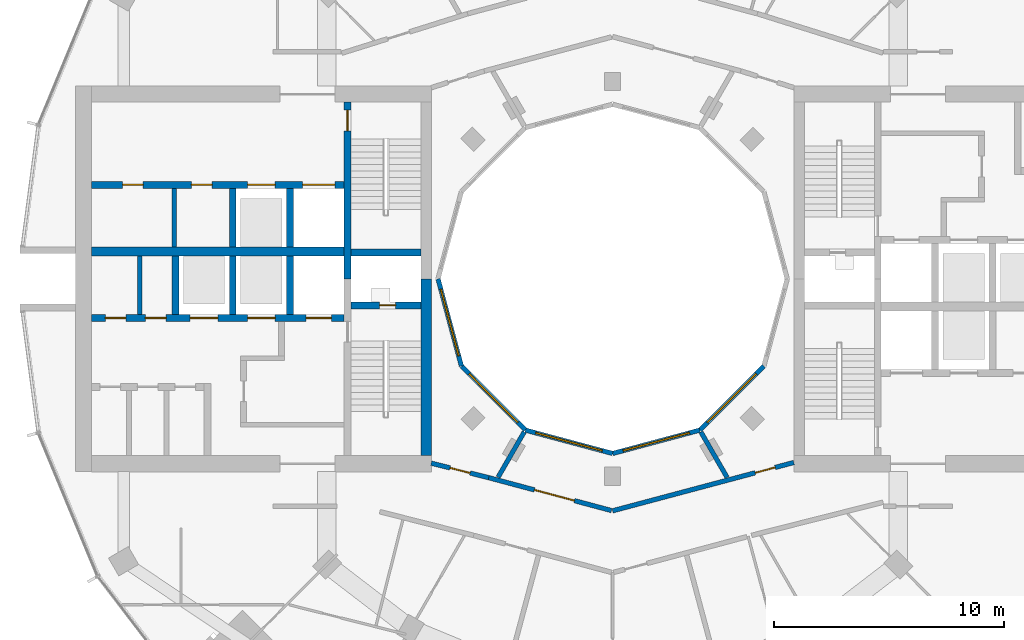
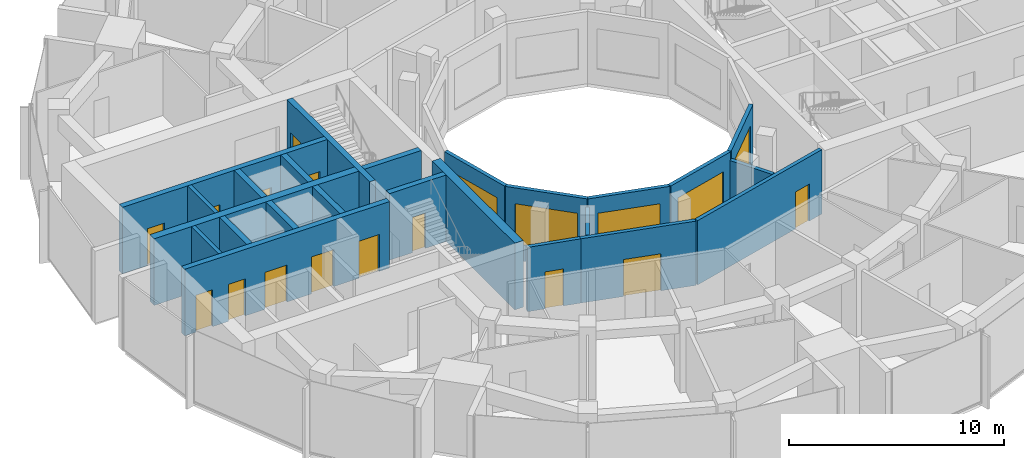
# One storey, part 9 of 15: 24 walls, 14 doors, 5 windows, 19 openings.
"""IFC4 building model written with IfcOpenShell, lengths in metres."""

from ifc_helpers import new_model, si_unit, direction, frame, frame_2d, origin, place, context, subcontext, project, spatial, rectangle, extrude, material, layer, layer_set, type_object, element, fill, save


model = new_model("IFC4")

# Units and contexts
model_context = context("Model", 3, precision=1e-05, world=origin(), true_north=direction((0.0, 1.0)))
body_context = subcontext(model_context, "Body", "Model", "MODEL_VIEW")
ifc_project = project(units=[si_unit("LENGTHUNIT", "METRE"), si_unit("AREAUNIT", "SQUARE_METRE"), si_unit("VOLUMEUNIT", "CUBIC_METRE"), si_unit("PLANEANGLEUNIT", "RADIAN"), si_unit("MASSUNIT", "GRAM", prefix="KILO")], contexts=[model_context])

# Site, building, storey
site_placement = place(None, origin())
site = spatial("IfcSite", under=ifc_project, at=site_placement, CompositionType="ELEMENT")
building_placement = place(site_placement, origin())
building = spatial("IfcBuilding", under=site, at=building_placement, Name="Torre Brocal", CompositionType="ELEMENT")
storey_placement = place(building_placement, frame((0.0, 0.0, 178.199951171875)))
storey = spatial("IfcBuildingStorey", under=building, at=storey_placement, Name="L41", CompositionType="ELEMENT", Elevation=178.199951171875)

# Walls
ifc_material_1 = material(Name="Masonry block", Category="masonry")
ifc_layer_1 = layer(ifc_material_1, 0.199951171875)
ifc_layer_set_1 = layer_set([ifc_layer_1], Name="Masonry block")
wall_type_1 = type_object("IfcWallType", Name="CORE PARTITION 200", PredefinedType="PARTITIONING", material=ifc_layer_set_1)
for number, where, z_axis, x_axis, name in (
    (1, (59.39990234375, 76.0, 0.0), (0.0, 0.0, 1.0), (0.0, -1.0, 0.0), "Wall CP200"),
    (2, (60.89990234375, 78.949951171875, 0.0), (0.0, 0.0, 1.0), (0.0, -1.0, 0.0), "Wall CP200"),
):
    element("IfcWall", number, at=place(storey_placement, frame(where, z_axis=z_axis, x_axis=x_axis)), inside=storey, type_object=wall_type_1, Name=name, PredefinedType="PARTITIONING", context=body_context, shape_type="SweptSolid", body=[
        extrude(rectangle(XDim=2.550048828125, YDim=0.199951171875, at=frame_2d((1.27490234375, 0.0))), origin(), (0.0, 0.0, 1.0), 3.780029296875),
    ])

# Wall, opening, door
ifc_material_2 = material(Name="Concrete C70", Category="concrete")
ifc_layer_2 = layer(ifc_material_2, 0.300048828125)
ifc_layer_set_2 = layer_set([ifc_layer_2], Name="Concrete C70")
wall_type_2 = type_object("IfcWallType", Name="CORE WALL 300 C70", PredefinedType="SHEAR", material=ifc_layer_set_2)
wall_1_placement = place(storey_placement, frame((68.449951171875, 82.699951171875, 0.0), z_axis=(0.0, 0.0, 1.0), x_axis=(0.0, -1.0, 0.0)))
wall_1 = element("IfcWall", 3, at=wall_1_placement, inside=storey, type_object=wall_type_2, Name="Wall CW300-70", PredefinedType="SHEAR", context=body_context, shape_type="SweptSolid", body=[
    extrude(rectangle(XDim=7.699951171875, YDim=0.300048828125, at=frame_2d((3.85009765625, 0.0))), origin(), (0.0, 0.0, 1.0), 3.780029296875),
])
opening_1_placement = place(wall_1_placement, frame((0.35009765625, 0.0, 0.0)))
opening_1 = element("IfcOpeningElement", 4, at=opening_1_placement, cuts=wall_1, Name="Opening W-D03", PredefinedType="OPENING", context=body_context, shape_type="SweptSolid", body=[
    extrude(rectangle(XDim=0.89990234375, YDim=2.10009765625, at=frame_2d((0.449951171875, 1.050048828125))), frame((0.0, 0.159912109375, 0.0), z_axis=(0.0, -1.0, 0.0), x_axis=(1.0, 0.0, 0.0)), (0.0, 0.0, 1.0), 0.320068359375),
])
ifc_material_3 = material(Name="Steel A653", Category="steel")
door_type_1 = type_object("IfcDoorType", Name="STAIR DOOR FD120 900X2100", OperationType="SINGLE_SWING_RIGHT", PredefinedType="DOOR", material=ifc_material_3)
door_1_placement = place(opening_1_placement, origin())
door_1 = element("IfcDoor", 5, at=door_1_placement, inside=storey, type_object=door_type_1, Name="Door W-D03", OperationType="SINGLE_SWING_LEFT", OverallHeight=2.10009765625, OverallWidth=0.89990234375, PredefinedType="DOOR", context=body_context, shape_type="SweptSolid", body=[
    extrude(rectangle(XDim=0.89990234375, YDim=2.10009765625, at=frame_2d((0.449951171875, 1.050048828125))), frame((0.0, 0.02490234375, 0.0), z_axis=(0.0, -1.0, 0.0), x_axis=(1.0, 0.0, 0.0)), (0.0, 0.0, 1.0), 0.050048828125),
])
fill(opening_1, door_1)

wall_2_placement = place(storey_placement, frame((71.64990234375, 73.85009765625, 0.0), z_axis=(0.0, 0.0, 1.0), x_axis=(-1.0, 0.0, 0.0)))
wall_2 = element("IfcWall", 6, at=wall_2_placement, inside=storey, type_object=wall_type_2, Name="Wall CW300-70", PredefinedType="SHEAR", context=body_context, shape_type="SweptSolid", body=[
    extrude(rectangle(XDim=3.0498046875, YDim=0.300048828125, at=frame_2d((1.52490234375, 0.0))), origin(), (0.0, 0.0, 1.0), 3.780029296875),
])
opening_2_placement = place(wall_2_placement, frame((1.10009765625, 0.0, 0.0)))
opening_2 = element("IfcOpeningElement", 7, at=opening_2_placement, cuts=wall_2, Name="Opening W-D01", PredefinedType="OPENING", context=body_context, shape_type="SweptSolid", body=[
    extrude(rectangle(XDim=0.699951171875, YDim=2.0, at=frame_2d((0.35009765625, 1.0))), frame((0.0, 0.159912109375, 0.0), z_axis=(0.0, -1.0, 0.0), x_axis=(1.0, 0.0, 0.0)), (0.0, 0.0, 1.0), 0.320068359375),
])
ifc_material_4 = material(Name="Steel A653", Category="steel")
door_type_2 = type_object("IfcDoorType", Name="RISER DOOR FD120 700X2000", OperationType="SINGLE_SWING_LEFT", PredefinedType="DOOR", material=ifc_material_4)
door_2_placement = place(opening_2_placement, frame((0.699951171875, 0.0, 0.0), z_axis=(0.0, 0.0, 1.0), x_axis=(-1.0, 0.0, 0.0)))
door_2 = element("IfcDoor", 8, at=door_2_placement, inside=storey, type_object=door_type_2, Name="Door W-D01", OperationType="SINGLE_SWING_RIGHT", OverallHeight=2.0, OverallWidth=0.699951171875, PredefinedType="DOOR", context=body_context, shape_type="SweptSolid", body=[
    extrude(rectangle(XDim=0.699951171875, YDim=2.0, at=frame_2d((0.35009765625, 1.0))), frame((0.0, 0.02490234375, 0.0), z_axis=(0.0, -1.0, 0.0), x_axis=(1.0, 0.0, 0.0)), (0.0, 0.0, 1.0), 0.050048828125),
])
fill(opening_2, door_2)

# Wall
wall_3_placement = place(storey_placement, frame((71.64990234375, 76.14990234375, 0.0), z_axis=(0.0, 0.0, 1.0), x_axis=(-1.0, 0.0, 0.0)))
element("IfcWall", 9, at=wall_3_placement, inside=storey, type_object=wall_type_2, Name="Wall CW300-70", PredefinedType="SHEAR", context=body_context, shape_type="SweptSolid", body=[
    extrude(rectangle(XDim=3.0498046875, YDim=0.300048828125, at=frame_2d((1.52490234375, 0.0))), origin(), (0.0, 0.0, 1.0), 3.780029296875),
])

# Wall, openings, doors
wall_4_placement = place(storey_placement, frame((68.300048828125, 73.300048828125, 0.0), z_axis=(0.0, 0.0, 1.0), x_axis=(-1.0, 0.0, 0.0)))
wall_4 = element("IfcWall", 10, at=wall_4_placement, inside=storey, type_object=wall_type_2, Name="Wall CW300-70", PredefinedType="SHEAR", context=body_context, shape_type="SweptSolid", body=[
    extrude(rectangle(XDim=11.0, YDim=0.300048828125, at=frame_2d((5.5, 0.0))), origin(), (0.0, 0.0, 1.0), 3.780029296875),
])
opening_3_placement = place(wall_4_placement, frame((0.550048828125, 0.0, 0.0)))
opening_3 = element("IfcOpeningElement", 11, at=opening_3_placement, cuts=wall_4, Name="Opening LD", PredefinedType="OPENING", context=body_context, shape_type="SweptSolid", body=[
    extrude(rectangle(XDim=1.10009765625, YDim=2.10009765625, at=frame_2d((0.550048828125, 1.050048828125))), frame((0.0, 0.159912109375, 0.0), z_axis=(0.0, -1.0, 0.0), x_axis=(1.0, 0.0, 0.0)), (0.0, 0.0, 1.0), 0.320068359375),
])
opening_4_placement = place(wall_4_placement, frame((3.0, 0.0, 0.0)))
opening_4 = element("IfcOpeningElement", 12, at=opening_4_placement, cuts=wall_4, Name="Opening LD12", PredefinedType="OPENING", context=body_context, shape_type="SweptSolid", body=[
    extrude(rectangle(XDim=1.199951171875, YDim=2.10009765625, at=frame_2d((0.60009765625, 1.050048828125))), frame((0.0, 0.159912109375, 0.0), z_axis=(0.0, -1.0, 0.0), x_axis=(1.0, 0.0, 0.0)), (0.0, 0.0, 1.0), 0.320068359375),
])
opening_5_placement = place(wall_4_placement, frame((5.5, 0.0, 0.0)))
opening_5 = element("IfcOpeningElement", 13, at=opening_5_placement, cuts=wall_4, Name="Opening LD12", PredefinedType="OPENING", context=body_context, shape_type="SweptSolid", body=[
    extrude(rectangle(XDim=1.199951171875, YDim=2.10009765625, at=frame_2d((0.60009765625, 1.050048828125))), frame((0.0, 0.159912109375, 0.0), z_axis=(0.0, -1.0, 0.0), x_axis=(1.0, 0.0, 0.0)), (0.0, 0.0, 1.0), 0.320068359375),
])
opening_6_placement = place(wall_4_placement, frame((7.75, 0.0, 0.0)))
opening_6 = element("IfcOpeningElement", 14, at=opening_6_placement, cuts=wall_4, Name="Opening W-D04", PredefinedType="OPENING", context=body_context, shape_type="SweptSolid", body=[
    extrude(rectangle(XDim=0.89990234375, YDim=2.10009765625, at=frame_2d((0.449951171875, 1.050048828125))), frame((0.0, 0.159912109375, 0.0), z_axis=(0.0, -1.0, 0.0), x_axis=(1.0, 0.0, 0.0)), (0.0, 0.0, 1.0), 0.320068359375),
])
opening_7_placement = place(wall_4_placement, frame((9.5, 0.0, 0.0)))
opening_7 = element("IfcOpeningElement", 15, at=opening_7_placement, cuts=wall_4, Name="Opening W-D05", PredefinedType="OPENING", context=body_context, shape_type="SweptSolid", body=[
    extrude(rectangle(XDim=0.89990234375, YDim=2.10009765625, at=frame_2d((0.449951171875, 1.050048828125))), frame((0.0, 0.159912109375, 0.0), z_axis=(0.0, -1.0, 0.0), x_axis=(1.0, 0.0, 0.0)), (0.0, 0.0, 1.0), 0.320068359375),
])
ifc_material_5 = material(Name="Stainless steel AISI 316", Category="steel")
door_type_3 = type_object("IfcDoorType", Name="LIFT LANDING DOOR 1100X2100", OperationType="DOUBLE_DOOR_SLIDING", PredefinedType="DOOR", material=ifc_material_5)
door_3_placement = place(opening_3_placement, origin())
door_3 = element("IfcDoor", 16, at=door_3_placement, inside=storey, type_object=door_type_3, Name="Door LD", OperationType="DOUBLE_DOOR_SLIDING", OverallHeight=2.10009765625, OverallWidth=1.10009765625, PredefinedType="DOOR", context=body_context, shape_type="SweptSolid", body=[
    extrude(rectangle(XDim=1.10009765625, YDim=2.10009765625, at=frame_2d((0.550048828125, 1.050048828125))), frame((0.0, 0.02490234375, 0.0), z_axis=(0.0, -1.0, 0.0), x_axis=(1.0, 0.0, 0.0)), (0.0, 0.0, 1.0), 0.050048828125),
])
fill(opening_3, door_3)
ifc_material_6 = material(Name="Stainless steel AISI 316", Category="steel")
door_type_4 = type_object("IfcDoorType", Name="LIFT LANDING DOOR 1200X2100", OperationType="DOUBLE_DOOR_SLIDING", PredefinedType="DOOR", material=ifc_material_6)
door_4_placement = place(opening_4_placement, origin())
door_4 = element("IfcDoor", 17, at=door_4_placement, inside=storey, type_object=door_type_4, Name="Door LD12", OperationType="DOUBLE_DOOR_SLIDING", OverallHeight=2.10009765625, OverallWidth=1.199951171875, PredefinedType="DOOR", context=body_context, shape_type="SweptSolid", body=[
    extrude(rectangle(XDim=1.199951171875, YDim=2.10009765625, at=frame_2d((0.60009765625, 1.050048828125))), frame((0.0, 0.02490234375, 0.0), z_axis=(0.0, -1.0, 0.0), x_axis=(1.0, 0.0, 0.0)), (0.0, 0.0, 1.0), 0.050048828125),
])
fill(opening_4, door_4)
door_5_placement = place(opening_5_placement, origin())
door_5 = element("IfcDoor", 18, at=door_5_placement, inside=storey, type_object=door_type_4, Name="Door LD12", OperationType="DOUBLE_DOOR_SLIDING", OverallHeight=2.10009765625, OverallWidth=1.199951171875, PredefinedType="DOOR", context=body_context, shape_type="SweptSolid", body=[
    extrude(rectangle(XDim=1.199951171875, YDim=2.10009765625, at=frame_2d((0.60009765625, 1.050048828125))), frame((0.0, 0.02490234375, 0.0), z_axis=(0.0, -1.0, 0.0), x_axis=(1.0, 0.0, 0.0)), (0.0, 0.0, 1.0), 0.050048828125),
])
fill(opening_5, door_5)
ifc_material_7 = material(Name="Steel A653", Category="steel")
door_type_5 = type_object("IfcDoorType", Name="ROOM DOOR FD30S 900X2100", OperationType="SINGLE_SWING_LEFT", PredefinedType="DOOR", material=ifc_material_7)
door_6_placement = place(opening_6_placement, frame((0.89990234375, 0.0, 0.0), z_axis=(0.0, 0.0, 1.0), x_axis=(-1.0, 0.0, 0.0)))
door_6 = element("IfcDoor", 19, at=door_6_placement, inside=storey, type_object=door_type_5, Name="Door W-D04", OperationType="SINGLE_SWING_LEFT", OverallHeight=2.10009765625, OverallWidth=0.89990234375, PredefinedType="DOOR", context=body_context, shape_type="SweptSolid", body=[
    extrude(rectangle(XDim=0.89990234375, YDim=2.10009765625, at=frame_2d((0.449951171875, 1.050048828125))), frame((0.0, 0.02490234375, 0.0), z_axis=(0.0, -1.0, 0.0), x_axis=(1.0, 0.0, 0.0)), (0.0, 0.0, 1.0), 0.050048828125),
])
fill(opening_6, door_6)
door_7_placement = place(opening_7_placement, frame((0.89990234375, 0.0, 0.0), z_axis=(0.0, 0.0, 1.0), x_axis=(-1.0, 0.0, 0.0)))
door_7 = element("IfcDoor", 20, at=door_7_placement, inside=storey, type_object=door_type_5, Name="Door W-D05", OperationType="SINGLE_SWING_RIGHT", OverallHeight=2.10009765625, OverallWidth=0.89990234375, PredefinedType="DOOR", context=body_context, shape_type="SweptSolid", body=[
    extrude(rectangle(XDim=0.89990234375, YDim=2.10009765625, at=frame_2d((0.449951171875, 1.050048828125))), frame((0.0, 0.02490234375, 0.0), z_axis=(0.0, -1.0, 0.0), x_axis=(1.0, 0.0, 0.0)), (0.0, 0.0, 1.0), 0.050048828125),
])
fill(opening_7, door_7)

wall_5_placement = place(storey_placement, frame((68.300048828125, 79.10009765625, 0.0), z_axis=(0.0, 0.0, 1.0), x_axis=(-1.0, 0.0, 0.0)))
wall_5 = element("IfcWall", 21, at=wall_5_placement, inside=storey, type_object=wall_type_2, Name="Wall CW300-70", PredefinedType="SHEAR", context=body_context, shape_type="SweptSolid", body=[
    extrude(rectangle(XDim=11.0, YDim=0.300048828125, at=frame_2d((5.5, 0.0))), origin(), (0.0, 0.0, 1.0), 3.780029296875),
])
opening_8_placement = place(wall_5_placement, frame((0.39990234375, 0.0, 0.0)))
opening_8 = element("IfcOpeningElement", 22, at=opening_8_placement, cuts=wall_5, Name="Opening LD14", PredefinedType="OPENING", context=body_context, shape_type="SweptSolid", body=[
    extrude(rectangle(XDim=1.39990234375, YDim=2.10009765625, at=frame_2d((0.699951171875, 1.050048828125))), frame((0.0, 0.159912109375, 0.0), z_axis=(0.0, -1.0, 0.0), x_axis=(1.0, 0.0, 0.0)), (0.0, 0.0, 1.0), 0.320068359375),
])
opening_9_placement = place(wall_5_placement, frame((3.0, 0.0, 0.0)))
opening_9 = element("IfcOpeningElement", 23, at=opening_9_placement, cuts=wall_5, Name="Opening LD12", PredefinedType="OPENING", context=body_context, shape_type="SweptSolid", body=[
    extrude(rectangle(XDim=1.199951171875, YDim=2.10009765625, at=frame_2d((0.60009765625, 1.050048828125))), frame((0.0, 0.159912109375, 0.0), z_axis=(0.0, -1.0, 0.0), x_axis=(1.0, 0.0, 0.0)), (0.0, 0.0, 1.0), 0.320068359375),
])
opening_10_placement = place(wall_5_placement, frame((5.75, 0.0, 0.0)))
opening_10 = element("IfcOpeningElement", 24, at=opening_10_placement, cuts=wall_5, Name="Opening W-D06", PredefinedType="OPENING", context=body_context, shape_type="SweptSolid", body=[
    extrude(rectangle(XDim=0.89990234375, YDim=2.10009765625, at=frame_2d((0.449951171875, 1.050048828125))), frame((0.0, 0.159912109375, 0.0), z_axis=(0.0, -1.0, 0.0), x_axis=(1.0, 0.0, 0.0)), (0.0, 0.0, 1.0), 0.320068359375),
])
opening_11_placement = place(wall_5_placement, frame((8.75, 0.0, 0.0)))
opening_11 = element("IfcOpeningElement", 25, at=opening_11_placement, cuts=wall_5, Name="Opening W-D07", PredefinedType="OPENING", context=body_context, shape_type="SweptSolid", body=[
    extrude(rectangle(XDim=0.89990234375, YDim=2.10009765625, at=frame_2d((0.449951171875, 1.050048828125))), frame((0.0, 0.159912109375, 0.0), z_axis=(0.0, -1.0, 0.0), x_axis=(1.0, 0.0, 0.0)), (0.0, 0.0, 1.0), 0.320068359375),
])
door_8_placement = place(opening_9_placement, origin())
door_8 = element("IfcDoor", 26, at=door_8_placement, inside=storey, type_object=door_type_4, Name="Door LD12", OperationType="DOUBLE_DOOR_SLIDING", OverallHeight=2.10009765625, OverallWidth=1.199951171875, PredefinedType="DOOR", context=body_context, shape_type="SweptSolid", body=[
    extrude(rectangle(XDim=1.199951171875, YDim=2.10009765625, at=frame_2d((0.60009765625, 1.050048828125))), frame((0.0, 0.02490234375, 0.0), z_axis=(0.0, -1.0, 0.0), x_axis=(1.0, 0.0, 0.0)), (0.0, 0.0, 1.0), 0.050048828125),
])
fill(opening_9, door_8)
ifc_material_8 = material(Name="Stainless steel AISI 316", Category="steel")
door_type_6 = type_object("IfcDoorType", Name="LIFT LANDING DOOR 1400X2100", OperationType="DOUBLE_DOOR_SLIDING", PredefinedType="DOOR", material=ifc_material_8)
door_9_placement = place(opening_8_placement, origin())
door_9 = element("IfcDoor", 27, at=door_9_placement, inside=storey, type_object=door_type_6, Name="Door LD14", OperationType="DOUBLE_DOOR_SLIDING", OverallHeight=2.10009765625, OverallWidth=1.39990234375, PredefinedType="DOOR", context=body_context, shape_type="SweptSolid", body=[
    extrude(rectangle(XDim=1.39990234375, YDim=2.10009765625, at=frame_2d((0.699951171875, 1.050048828125))), frame((0.0, 0.02490234375, 0.0), z_axis=(0.0, -1.0, 0.0), x_axis=(1.0, 0.0, 0.0)), (0.0, 0.0, 1.0), 0.050048828125),
])
fill(opening_8, door_9)
door_10_placement = place(opening_10_placement, origin())
door_10 = element("IfcDoor", 28, at=door_10_placement, inside=storey, type_object=door_type_5, Name="Door W-D06", OperationType="SINGLE_SWING_RIGHT", OverallHeight=2.10009765625, OverallWidth=0.89990234375, PredefinedType="DOOR", context=body_context, shape_type="SweptSolid", body=[
    extrude(rectangle(XDim=0.89990234375, YDim=2.10009765625, at=frame_2d((0.449951171875, 1.050048828125))), frame((0.0, 0.02490234375, 0.0), z_axis=(0.0, -1.0, 0.0), x_axis=(1.0, 0.0, 0.0)), (0.0, 0.0, 1.0), 0.050048828125),
])
fill(opening_10, door_10)
door_11_placement = place(opening_11_placement, origin())
door_11 = element("IfcDoor", 29, at=door_11_placement, inside=storey, type_object=door_type_5, Name="Door W-D07", OperationType="SINGLE_SWING_LEFT", OverallHeight=2.10009765625, OverallWidth=0.89990234375, PredefinedType="DOOR", context=body_context, shape_type="SweptSolid", body=[
    extrude(rectangle(XDim=0.89990234375, YDim=2.10009765625, at=frame_2d((0.449951171875, 1.050048828125))), frame((0.0, 0.02490234375, 0.0), z_axis=(0.0, -1.0, 0.0), x_axis=(1.0, 0.0, 0.0)), (0.0, 0.0, 1.0), 0.050048828125),
])
fill(opening_11, door_11)

# Walls
for number, where, z_axis, x_axis, name in (
    (30, (65.949951171875, 76.0, 0.0), (0.0, 0.0, 1.0), (0.0, -1.0, 0.0), "Wall CW300-70"),
    (31, (63.449951171875, 76.0, 0.0), (0.0, 0.0, 1.0), (0.0, -1.0, 0.0), "Wall CW300-70"),
    (32, (60.949951171875, 76.0, 0.0), (0.0, 0.0, 1.0), (0.0, -1.0, 0.0), "Wall CW300-70"),
    (33, (65.949951171875, 78.949951171875, 0.0), (0.0, 0.0, 1.0), (0.0, -1.0, 0.0), "Wall CW300-70"),
    (34, (63.449951171875, 78.949951171875, 0.0), (0.0, 0.0, 1.0), (0.0, -1.0, 0.0), "Wall CW300-70"),
):
    element("IfcWall", number, at=place(storey_placement, frame(where, z_axis=z_axis, x_axis=x_axis)), inside=storey, type_object=wall_type_2, Name=name, PredefinedType="SHEAR", context=body_context, shape_type="SweptSolid", body=[
        extrude(rectangle(XDim=2.550048828125, YDim=0.300048828125, at=frame_2d((1.27490234375, 0.0))), origin(), (0.0, 0.0, 1.0), 3.780029296875),
    ])
ifc_material_9 = material(Name="Concrete C70", Category="concrete")
ifc_layer_3 = layer(ifc_material_9, 0.39990234375)
ifc_layer_set_3 = layer_set([ifc_layer_3], Name="Concrete C70")
wall_type_3 = type_object("IfcWallType", Name="CORE WALL 400 C70", PredefinedType="SHEAR", material=ifc_layer_set_3)
wall_6_placement = place(storey_placement, frame((68.300048828125, 76.199951171875, 0.0), z_axis=(0.0, 0.0, 1.0), x_axis=(-1.0, 0.0, 0.0)))
element("IfcWall", 35, at=wall_6_placement, inside=storey, type_object=wall_type_3, Name="Wall CW400-70", PredefinedType="SHEAR", context=body_context, shape_type="SweptSolid", body=[
    extrude(rectangle(XDim=11.0, YDim=0.39990234375, at=frame_2d((5.5, 0.0))), origin(), (0.0, 0.0, 1.0), 3.780029296875),
])
ifc_material_10 = material(Name="Concrete C70", Category="concrete")
ifc_layer_4 = layer(ifc_material_10, 0.449951171875)
ifc_layer_set_4 = layer_set([ifc_layer_4], Name="Concrete C70")
wall_type_4 = type_object("IfcWallType", Name="CORE WALL 450 C70", PredefinedType="SHEAR", material=ifc_layer_set_4)
wall_7_placement = place(storey_placement, frame((71.875, 75.0, 0.0), z_axis=(0.0, 0.0, 1.0), x_axis=(0.0, -1.0, 0.0)))
element("IfcWall", 36, at=wall_7_placement, inside=storey, type_object=wall_type_4, Name="Wall CW450-70", PredefinedType="SHEAR", context=body_context, shape_type="SweptSolid", body=[
    extrude(rectangle(XDim=7.699951171875, YDim=0.449951171875, at=frame_2d((3.85009765625, 0.0))), origin(), (0.0, 0.0, 1.0), 3.780029296875),
])

# Wall, opening, door
ifc_material_11 = material(Name="Gypsum board", Category="Gypsum")
ifc_layer_5 = layer(ifc_material_11, 0.199951171875)
ifc_layer_set_5 = layer_set([ifc_layer_5], Name="Gypsum board")
wall_type_5 = type_object("IfcWallType", Name="PARTITION 200 EI60", PredefinedType="PARTITIONING", material=ifc_layer_set_5)
wall_8_placement = place(storey_placement, frame((72.10009765625, 66.97509765625, 0.0), z_axis=(0.0, 0.0, 1.0), x_axis=(0.969471314457, -0.245204752086, 0.0)))
wall_8 = element("IfcWall", 37, at=wall_8_placement, inside=storey, type_object=wall_type_5, Name="CORRIDOR WALL", PredefinedType="PARTITIONING", context=body_context, shape_type="SweptSolid", body=[
    extrude(rectangle(XDim=2.581787109375, YDim=0.199951171875, at=frame_2d((1.291015625, 0.0))), origin(), (0.0, 0.0, 1.0), 3.650146484375),
])
opening_12_placement = place(wall_8_placement, frame((0.8408203125, 0.0, 0.0)))
opening_12 = element("IfcOpeningElement", 38, at=opening_12_placement, cuts=wall_8, Name="Opening R02-D37", PredefinedType="OPENING", context=body_context, shape_type="SweptSolid", body=[
    extrude(rectangle(XDim=0.89990234375, YDim=2.10009765625, at=frame_2d((0.449951171875, 1.050048828125))), frame((0.0, 0.10986328125, 0.0), z_axis=(0.0, -1.0, 0.0), x_axis=(1.0, 0.0, 0.0)), (0.0, 0.0, 1.0), 0.219970703125),
])
ifc_material_12 = material(Name="Timber", Category="wood")
door_type_7 = type_object("IfcDoorType", Name="ROOM DOOR 900X2100", OperationType="SINGLE_SWING_LEFT", PredefinedType="DOOR", material=ifc_material_12)
door_12_placement = place(opening_12_placement, origin())
door_12 = element("IfcDoor", 39, at=door_12_placement, inside=storey, type_object=door_type_7, Name="R02-D37", OperationType="SINGLE_SWING_LEFT", OverallHeight=2.10009765625, OverallWidth=0.89990234375, PredefinedType="DOOR", context=body_context, shape_type="SweptSolid", body=[
    extrude(rectangle(XDim=0.89990234375, YDim=2.10009765625, at=frame_2d((0.449951171875, 1.050048828125))), frame((0.0, 0.02490234375, 0.0), z_axis=(0.0, -1.0, 0.0), x_axis=(1.0, 0.0, 0.0)), (0.0, 0.0, 1.0), 0.050048828125),
])
fill(opening_12, door_12)

wall_9_placement = place(storey_placement, frame((74.60302734375, 66.34228515625, 0.0), z_axis=(0.0, 0.0, 1.0), x_axis=(0.965895298152, -0.258932950796, 0.0)))
wall_9 = element("IfcWall", 40, at=wall_9_placement, inside=storey, type_object=wall_type_5, Name="CORRIDOR WALL", PredefinedType="PARTITIONING", context=body_context, shape_type="SweptSolid", body=[
    extrude(rectangle(XDim=5.53759765625, YDim=0.199951171875, at=frame_2d((2.768798828125, 0.0))), origin(), (0.0, 0.0, 1.0), 3.650146484375),
])
opening_13_placement = place(wall_9_placement, frame((2.0625, 0.0, 0.0)))
opening_13 = element("IfcOpeningElement", 41, at=opening_13_placement, cuts=wall_9, Name="Opening R02-D36", PredefinedType="OPENING", context=body_context, shape_type="SweptSolid", body=[
    extrude(rectangle(XDim=1.800048828125, YDim=2.10009765625, at=frame_2d((0.89990234375, 1.050048828125))), frame((0.0, 0.10986328125, 0.0), z_axis=(0.0, -1.0, 0.0), x_axis=(1.0, 0.0, 0.0)), (0.0, 0.0, 1.0), 0.219970703125),
])
ifc_material_13 = material(Name="Timber", Category="wood")
door_type_8 = type_object("IfcDoorType", Name="DOUBLE DOOR 1800X2100", OperationType="DOUBLE_DOOR_SINGLE_SWING", PredefinedType="DOOR", material=ifc_material_13)
door_13_placement = place(opening_13_placement, origin())
door_13 = element("IfcDoor", 42, at=door_13_placement, inside=storey, type_object=door_type_8, Name="R02-D36", OperationType="DOUBLE_DOOR_SINGLE_SWING", OverallHeight=2.10009765625, OverallWidth=1.800048828125, PredefinedType="DOOR", context=body_context, shape_type="SweptSolid", body=[
    extrude(rectangle(XDim=1.800048828125, YDim=2.10009765625, at=frame_2d((0.89990234375, 1.050048828125))), frame((0.0, 0.02490234375, 0.0), z_axis=(0.0, -1.0, 0.0), x_axis=(1.0, 0.0, 0.0)), (0.0, 0.0, 1.0), 0.050048828125),
])
fill(opening_13, door_13)

# Wall
wall_10_placement = place(storey_placement, frame((75.011962890625, 66.36328125, 0.0), z_axis=(0.0, 0.0, 1.0), x_axis=(0.500168489725, 0.86592810434, 0.0)))
element("IfcWall", 43, at=wall_10_placement, inside=storey, type_object=wall_type_5, Name="SERVICE ROOM WALL", PredefinedType="PARTITIONING", context=body_context, shape_type="SweptSolid", body=[
    extrude(rectangle(XDim=2.274169921875, YDim=0.199951171875, at=frame_2d((1.13720703125, 0.0))), origin(), (0.0, 0.0, 1.0), 3.650146484375),
])

# Wall, opening, door
wall_11_placement = place(storey_placement, frame((79.99951171875, 64.89794921875, 0.0), z_axis=(0.0, 0.0, 1.0), x_axis=(0.966237419782, 0.257653349704, 0.0)))
wall_11 = element("IfcWall", 44, at=wall_11_placement, inside=storey, type_object=wall_type_5, Name="CORRIDOR WALL", PredefinedType="PARTITIONING", context=body_context, shape_type="SweptSolid", body=[
    extrude(rectangle(XDim=8.1689453125, YDim=0.199951171875, at=frame_2d((4.08447265625, 0.0))), origin(), (0.0, 0.0, 1.0), 3.650146484375),
])
opening_14_placement = place(wall_11_placement, frame((6.427978515625, 0.0, 0.0)))
opening_14 = element("IfcOpeningElement", 45, at=opening_14_placement, cuts=wall_11, Name="Opening R02-D35", PredefinedType="OPENING", context=body_context, shape_type="SweptSolid", body=[
    extrude(rectangle(XDim=0.89990234375, YDim=2.10009765625, at=frame_2d((0.449951171875, 1.050048828125))), frame((0.0, 0.10986328125, 0.0), z_axis=(0.0, -1.0, 0.0), x_axis=(1.0, 0.0, 0.0)), (0.0, 0.0, 1.0), 0.219970703125),
])
door_14_placement = place(opening_14_placement, origin())
door_14 = element("IfcDoor", 46, at=door_14_placement, inside=storey, type_object=door_type_7, Name="R02-D35", OperationType="SINGLE_SWING_RIGHT", OverallHeight=2.10009765625, OverallWidth=0.89990234375, PredefinedType="DOOR", context=body_context, shape_type="SweptSolid", body=[
    extrude(rectangle(XDim=0.89990234375, YDim=2.10009765625, at=frame_2d((0.449951171875, 1.050048828125))), frame((0.0, 0.02490234375, 0.0), z_axis=(0.0, -1.0, 0.0), x_axis=(1.0, 0.0, 0.0)), (0.0, 0.0, 1.0), 0.050048828125),
])
fill(opening_14, door_14)

# Wall
wall_12_placement = place(storey_placement, frame((83.84716796875, 68.33056640625, 0.0), z_axis=(0.0, 0.0, 1.0), x_axis=(0.499851978358, -0.866110847255, 0.0)))
element("IfcWall", 47, at=wall_12_placement, inside=storey, type_object=wall_type_5, Name="PARTY PARTITION", PredefinedType="PARTITIONING", context=body_context, shape_type="SweptSolid", body=[
    extrude(rectangle(XDim=2.284423828125, YDim=0.199951171875, at=frame_2d((1.14208984375, 0.0))), origin(), (0.0, 0.0, 1.0), 3.650146484375),
])

# Wall, opening, window
ifc_material_14 = material(Name="Concrete C40", Category="concrete")
ifc_layer_6 = layer(ifc_material_14, 0.199951171875)
ifc_layer_set_6 = layer_set([ifc_layer_6], Name="Concrete C40")
wall_type_6 = type_object("IfcWallType", Name="WELL FACADE WALL 200", PredefinedType="NOTDEFINED", material=ifc_layer_set_6)
wall_13_placement = place(storey_placement, frame((72.396484375, 75.0, 0.0), z_axis=(0.0, 0.0, 1.0), x_axis=(0.258789828301, -0.965933654434, 0.0)))
wall_13 = element("IfcWall", 48, at=wall_13_placement, inside=storey, type_object=wall_type_6, Name="WELL FACADE WALL", PredefinedType="NOTDEFINED", context=body_context, shape_type="SweptSolid", body=[
    extrude(rectangle(XDim=3.935791015625, YDim=0.199951171875, at=frame_2d((1.9677734375, 0.0))), origin(), (0.0, 0.0, 1.0), 4.10009765625),
])
opening_15_placement = place(wall_13_placement, frame((0.468017578125, 0.0, 0.89990234375)))
opening_15 = element("IfcOpeningElement", 49, at=opening_15_placement, cuts=wall_13, Name="Opening W1", PredefinedType="OPENING", context=body_context, shape_type="SweptSolid", body=[
    extrude(rectangle(XDim=3.0, YDim=2.300048828125, at=frame_2d((1.5, 1.14990234375))), frame((0.0, 0.10986328125, 0.0), z_axis=(0.0, -1.0, 0.0), x_axis=(1.0, 0.0, 0.0)), (0.0, 0.0, 1.0), 0.219970703125),
])
ifc_material_15 = material(Name="Aluminium and glass", Category="aluminium")
window_type = type_object("IfcWindowType", Name="WELL WINDOW 3000X2300", PartitioningType="SINGLE_PANEL", PredefinedType="WINDOW", material=ifc_material_15)
window_1_placement = place(opening_15_placement, origin())
window_1 = element("IfcWindow", 50, at=window_1_placement, inside=storey, type_object=window_type, Name="WELL WINDOW 3000X2300", OverallHeight=2.300048828125, OverallWidth=3.0, PartitioningType="SINGLE_PANEL", PredefinedType="WINDOW", context=body_context, shape_type="SweptSolid", body=[
    extrude(rectangle(XDim=3.0, YDim=2.300048828125, at=frame_2d((1.5, 1.14990234375))), frame((0.0, 0.030029296875, 0.0), z_axis=(0.0, -1.0, 0.0), x_axis=(1.0, 0.0, 0.0)), (0.0, 0.0, 1.0), 0.06005859375),
])
fill(opening_15, window_1)

wall_14_placement = place(storey_placement, frame((73.4150390625, 71.1982421875, 0.0), z_axis=(0.0, 0.0, 1.0), x_axis=(0.707106781187, -0.707106781187, 0.0)))
wall_14 = element("IfcWall", 51, at=wall_14_placement, inside=storey, type_object=wall_type_6, Name="WELL FACADE WALL", PredefinedType="NOTDEFINED", context=body_context, shape_type="SweptSolid", body=[
    extrude(rectangle(XDim=3.93603515625, YDim=0.199951171875, at=frame_2d((1.968017578125, 0.0))), origin(), (0.0, 0.0, 1.0), 4.10009765625),
])
opening_16_placement = place(wall_14_placement, frame((0.468017578125, 0.0, 0.89990234375)))
opening_16 = element("IfcOpeningElement", 52, at=opening_16_placement, cuts=wall_14, Name="Opening W1", PredefinedType="OPENING", context=body_context, shape_type="SweptSolid", body=[
    extrude(rectangle(XDim=3.0, YDim=2.300048828125, at=frame_2d((1.5, 1.14990234375))), frame((0.0, 0.10986328125, 0.0), z_axis=(0.0, -1.0, 0.0), x_axis=(1.0, 0.0, 0.0)), (0.0, 0.0, 1.0), 0.219970703125),
])
window_2_placement = place(opening_16_placement, origin())
window_2 = element("IfcWindow", 53, at=window_2_placement, inside=storey, type_object=window_type, Name="WELL WINDOW 3000X2300", OverallHeight=2.300048828125, OverallWidth=3.0, PartitioningType="SINGLE_PANEL", PredefinedType="WINDOW", context=body_context, shape_type="SweptSolid", body=[
    extrude(rectangle(XDim=3.0, YDim=2.300048828125, at=frame_2d((1.5, 1.14990234375))), frame((0.0, 0.030029296875, 0.0), z_axis=(0.0, -1.0, 0.0), x_axis=(1.0, 0.0, 0.0)), (0.0, 0.0, 1.0), 0.06005859375),
])
fill(opening_16, window_2)

wall_15_placement = place(storey_placement, frame((76.1982421875, 68.4150390625, 0.0), z_axis=(0.0, 0.0, 1.0), x_axis=(0.965933654434, -0.258789828301, 0.0)))
wall_15 = element("IfcWall", 54, at=wall_15_placement, inside=storey, type_object=wall_type_6, Name="WELL FACADE WALL", PredefinedType="NOTDEFINED", context=body_context, shape_type="SweptSolid", body=[
    extrude(rectangle(XDim=3.935791015625, YDim=0.199951171875, at=frame_2d((1.9677734375, 0.0))), origin(), (0.0, 0.0, 1.0), 4.10009765625),
])
opening_17_placement = place(wall_15_placement, frame((0.468017578125, 0.0, 0.89990234375)))
opening_17 = element("IfcOpeningElement", 55, at=opening_17_placement, cuts=wall_15, Name="Opening W1", PredefinedType="OPENING", context=body_context, shape_type="SweptSolid", body=[
    extrude(rectangle(XDim=3.0, YDim=2.300048828125, at=frame_2d((1.5, 1.14990234375))), frame((0.0, 0.10986328125, 0.0), z_axis=(0.0, -1.0, 0.0), x_axis=(1.0, 0.0, 0.0)), (0.0, 0.0, 1.0), 0.219970703125),
])
window_3_placement = place(opening_17_placement, origin())
window_3 = element("IfcWindow", 56, at=window_3_placement, inside=storey, type_object=window_type, Name="WELL WINDOW 3000X2300", OverallHeight=2.300048828125, OverallWidth=3.0, PartitioningType="SINGLE_PANEL", PredefinedType="WINDOW", context=body_context, shape_type="SweptSolid", body=[
    extrude(rectangle(XDim=3.0, YDim=2.300048828125, at=frame_2d((1.5, 1.14990234375))), frame((0.0, 0.030029296875, 0.0), z_axis=(0.0, -1.0, 0.0), x_axis=(1.0, 0.0, 0.0)), (0.0, 0.0, 1.0), 0.06005859375),
])
fill(opening_17, window_3)

wall_16_placement = place(storey_placement, frame((80.0, 67.396484375, 0.0), z_axis=(0.0, 0.0, 1.0), x_axis=(0.965933654434, 0.258789828301, 0.0)))
wall_16 = element("IfcWall", 57, at=wall_16_placement, inside=storey, type_object=wall_type_6, Name="WELL FACADE WALL", PredefinedType="NOTDEFINED", context=body_context, shape_type="SweptSolid", body=[
    extrude(rectangle(XDim=3.935791015625, YDim=0.199951171875, at=frame_2d((1.9677734375, 0.0))), origin(), (0.0, 0.0, 1.0), 4.10009765625),
])
opening_18_placement = place(wall_16_placement, frame((0.468017578125, 0.0, 0.89990234375)))
opening_18 = element("IfcOpeningElement", 58, at=opening_18_placement, cuts=wall_16, Name="Opening W1", PredefinedType="OPENING", context=body_context, shape_type="SweptSolid", body=[
    extrude(rectangle(XDim=3.0, YDim=2.300048828125, at=frame_2d((1.5, 1.14990234375))), frame((0.0, 0.10986328125, 0.0), z_axis=(0.0, -1.0, 0.0), x_axis=(1.0, 0.0, 0.0)), (0.0, 0.0, 1.0), 0.219970703125),
])
window_4_placement = place(opening_18_placement, origin())
window_4 = element("IfcWindow", 59, at=window_4_placement, inside=storey, type_object=window_type, Name="WELL WINDOW 3000X2300", OverallHeight=2.300048828125, OverallWidth=3.0, PartitioningType="SINGLE_PANEL", PredefinedType="WINDOW", context=body_context, shape_type="SweptSolid", body=[
    extrude(rectangle(XDim=3.0, YDim=2.300048828125, at=frame_2d((1.5, 1.14990234375))), frame((0.0, 0.030029296875, 0.0), z_axis=(0.0, -1.0, 0.0), x_axis=(1.0, 0.0, 0.0)), (0.0, 0.0, 1.0), 0.06005859375),
])
fill(opening_18, window_4)

wall_17_placement = place(storey_placement, frame((83.8017578125, 68.4150390625, 0.0), z_axis=(0.0, 0.0, 1.0), x_axis=(0.707106781187, 0.707106781187, 0.0)))
wall_17 = element("IfcWall", 60, at=wall_17_placement, inside=storey, type_object=wall_type_6, Name="WELL FACADE WALL", PredefinedType="NOTDEFINED", context=body_context, shape_type="SweptSolid", body=[
    extrude(rectangle(XDim=3.93603515625, YDim=0.199951171875, at=frame_2d((1.968017578125, 0.0))), origin(), (0.0, 0.0, 1.0), 4.10009765625),
])
opening_19_placement = place(wall_17_placement, frame((0.468017578125, 0.0, 0.89990234375)))
opening_19 = element("IfcOpeningElement", 61, at=opening_19_placement, cuts=wall_17, Name="Opening W1", PredefinedType="OPENING", context=body_context, shape_type="SweptSolid", body=[
    extrude(rectangle(XDim=3.0, YDim=2.300048828125, at=frame_2d((1.5, 1.14990234375))), frame((0.0, 0.10986328125, 0.0), z_axis=(0.0, -1.0, 0.0), x_axis=(1.0, 0.0, 0.0)), (0.0, 0.0, 1.0), 0.219970703125),
])
window_5_placement = place(opening_19_placement, origin())
window_5 = element("IfcWindow", 62, at=window_5_placement, inside=storey, type_object=window_type, Name="WELL WINDOW 3000X2300", OverallHeight=2.300048828125, OverallWidth=3.0, PartitioningType="SINGLE_PANEL", PredefinedType="WINDOW", context=body_context, shape_type="SweptSolid", body=[
    extrude(rectangle(XDim=3.0, YDim=2.300048828125, at=frame_2d((1.5, 1.14990234375))), frame((0.0, 0.030029296875, 0.0), z_axis=(0.0, -1.0, 0.0), x_axis=(1.0, 0.0, 0.0)), (0.0, 0.0, 1.0), 0.06005859375),
])
fill(opening_19, window_5)

save(model, "model.ifc")
